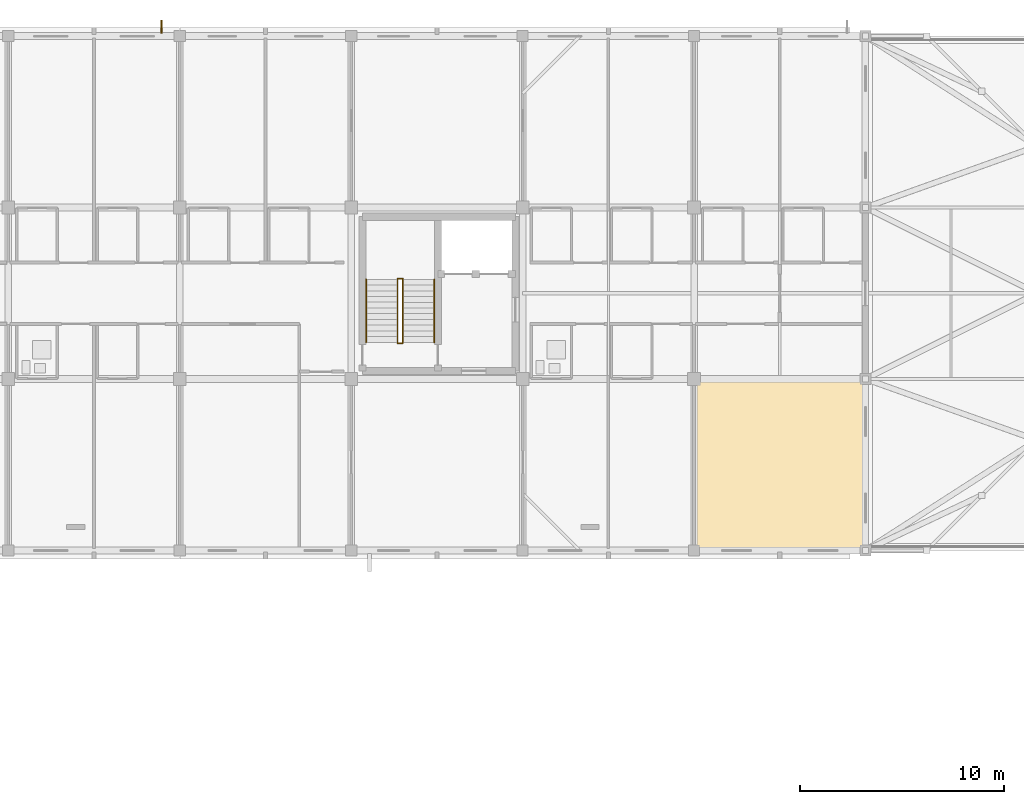
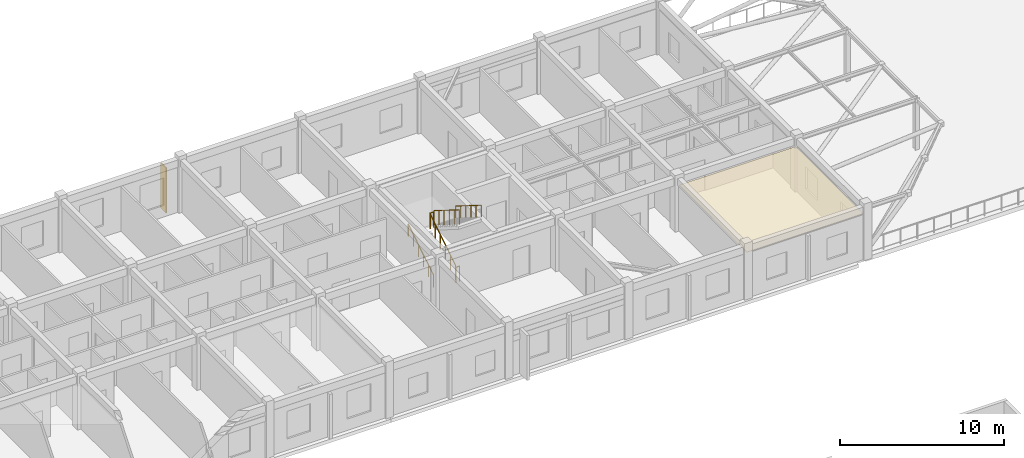
# One storey, part 19 of 21: 6 railings, 1 covering, 1 shading device.
"""IFC4 building model written with IfcOpenShell, lengths in metres."""

from ifc_helpers import new_model, si_unit, direction, frame, origin, origin_2d, place, context, subcontext, project, spatial, polyline, rectangle, circle, outline, extrude, material, layer, layer_set, type_object, element, save


model = new_model("IFC4")

# Units and contexts
model_context = context("Model", 3, precision=1e-05, world=origin(), true_north=direction((0.0, 1.0)))
body_context = subcontext(model_context, "Body", "Model", "MODEL_VIEW")
ifc_project = project(units=[si_unit("LENGTHUNIT", "METRE"), si_unit("AREAUNIT", "SQUARE_METRE"), si_unit("VOLUMEUNIT", "CUBIC_METRE"), si_unit("PLANEANGLEUNIT", "RADIAN"), si_unit("MASSUNIT", "GRAM", prefix="KILO")], contexts=[model_context])

# Site, building, storey
site_placement = place(None, origin())
site = spatial("IfcSite", under=ifc_project, at=site_placement, CompositionType="ELEMENT")
building_placement = place(site_placement, origin())
building = spatial("IfcBuilding", under=site, at=building_placement, Name="Trelvath General Hospital", CompositionType="ELEMENT")
storey_placement = place(building_placement, frame((0.0, 0.0, 28.800048828125)))
storey = spatial("IfcBuildingStorey", under=building, at=storey_placement, Name="L07", CompositionType="ELEMENT", Elevation=28.800048828125)

# Covering
ifc_material_1 = material(Name="Hygienic acoustic ceiling tile")
ifc_layer = layer(ifc_material_1, 0.02490234375)
ifc_layer_set = layer_set([ifc_layer], Name="Hygienic acoustic ceiling tile")
covering_type = type_object("IfcCoveringType", Name="Ceiling ClinicalAcoustic", PredefinedType="CEILING", material=ifc_layer_set)
covering_placement = place(storey_placement, frame((0.0, 0.0, 3.199951171875)))
element("IfcCovering", 1, at=covering_placement, inside=storey, type_object=covering_type, Name="Clinical Acoustic Ceiling L07-84", PredefinedType="CEILING", context=body_context, shape_type="SweptSolid", body=[
    extrude(outline(polyline([(100.89990234375, 92.5), (109.10009765625, 92.5), (109.10009765625, 100.719970703125), (100.89990234375, 100.719970703125), (100.89990234375, 92.5)])), origin(), (0.0, 0.0, 1.0), 0.02490234375),
])

# Railings
ifc_material_2 = material(Name="Architectural painted steel", Category="steel")
railing_type_1 = type_object("IfcRailingType", Name="Guardrail Terrace1150", PredefinedType="GUARDRAIL", material=ifc_material_2)
railing_1_placement = place(storey_placement, frame((86.27001953125, 102.56005859375, 0.0)))
element("IfcRailing", 2, at=railing_1_placement, inside=storey, type_object=railing_type_1, Name="Stair Well Edge Guard C2 L07 90", PredefinedType="GUARDRAIL", context=body_context, shape_type="SweptSolid", body=[
    extrude(circle(Radius=0.02392578125, at=origin_2d()), frame((0.0, 0.0, 1.1259765625), z_axis=(1.0, 0.0, 0.0), x_axis=(0.0, 1.0, 0.0)), (0.0, 0.0, 1.0), 0.260009765625),
    extrude(circle(Radius=0.02099609375, at=origin_2d()), origin(), (0.0, 0.0, 1.0), 1.099853515625),
    extrude(circle(Radius=0.02099609375, at=origin_2d()), frame((0.260009765625, 0.0, 0.0)), (0.0, 0.0, 1.0), 1.099853515625),
])
railing_2_placement = place(storey_placement, frame((86.530029296875, 105.679931640625, 2.27490234375)))
element("IfcRailing", 3, at=railing_2_placement, inside=storey, type_object=railing_type_1, Name="Stair Rail ST2 L07 F2 L 92", PredefinedType="GUARDRAIL", context=body_context, shape_type="SweptSolid", body=[
    extrude(circle(Radius=0.02392578125, at=origin_2d()), frame((0.0, 0.0, 1.076171875), z_axis=(0.0, -0.847979421464, 0.530029150871), x_axis=(1.0, 0.0, 0.0)), (0.0, 0.0, 1.0), 3.632080078125),
    extrude(circle(Radius=0.02099609375, at=origin_2d()), origin(), (0.0, 0.0, 1.0), 1.050048828125),
    extrude(circle(Radius=0.02099609375, at=origin_2d()), frame((0.0, -0.615966796875, 0.385009765625)), (0.0, 0.0, 1.0), 1.050048828125),
    extrude(circle(Radius=0.02099609375, at=origin_2d()), frame((0.0, -1.23193359375, 0.77001953125)), (0.0, 0.0, 1.0), 1.050048828125),
    extrude(circle(Radius=0.02099609375, at=origin_2d()), frame((0.0, -1.847900390625, 1.155029296875)), (0.0, 0.0, 1.0), 1.050048828125),
    extrude(circle(Radius=0.02099609375, at=origin_2d()), frame((0.0, -2.4638671875, 1.5400390625)), (0.0, 0.0, 1.0), 1.050048828125),
    extrude(circle(Radius=0.02099609375, at=origin_2d()), frame((0.0, -3.079833984375, 1.925048828125)), (0.0, 0.0, 1.0), 1.050048828125),
])
railing_3_placement = place(storey_placement, frame((86.27001953125, 102.60009765625, 0.175048828125)))
element("IfcRailing", 4, at=railing_3_placement, inside=storey, type_object=railing_type_1, Name="Stair Rail ST2 L07 F1 R 93", PredefinedType="GUARDRAIL", context=body_context, shape_type="SweptSolid", body=[
    extrude(circle(Radius=0.02392578125, at=origin_2d()), frame((0.0, 0.0, 1.076171875), z_axis=(0.0, 0.848009633417, 0.529980812513), x_axis=(-1.0, 0.0, 0.0)), (0.0, 0.0, 1.0), 3.6318359375),
    extrude(circle(Radius=0.02099609375, at=origin_2d()), origin(), (0.0, 0.0, 1.0), 1.050048828125),
    extrude(circle(Radius=0.02099609375, at=origin_2d()), frame((0.0, 0.615966796875, 0.385009765625)), (0.0, 0.0, 1.0), 1.050048828125),
    extrude(circle(Radius=0.02099609375, at=origin_2d()), frame((0.0, 1.23193359375, 0.77001953125)), (0.0, 0.0, 1.0), 1.050048828125),
    extrude(circle(Radius=0.02099609375, at=origin_2d()), frame((0.0, 1.847900390625, 1.15478515625)), (0.0, 0.0, 1.0), 1.050048828125),
    extrude(circle(Radius=0.02099609375, at=origin_2d()), frame((0.0, 2.4638671875, 1.539794921875)), (0.0, 0.0, 1.0), 1.050048828125),
    extrude(circle(Radius=0.02099609375, at=origin_2d()), frame((0.0, 3.079833984375, 1.9248046875)), (0.0, 0.0, 1.0), 1.050048828125),
])
railing_4_placement = place(storey_placement, frame((86.27001953125, 105.719970703125, 2.099853515625)))
element("IfcRailing", 5, at=railing_4_placement, inside=storey, type_object=railing_type_1, Name="Half-Landing Well Guard ST2 L07 95", PredefinedType="GUARDRAIL", context=body_context, shape_type="SweptSolid", body=[
    extrude(circle(Radius=0.02392578125, at=origin_2d()), frame((0.0, 0.0, 1.1259765625), z_axis=(1.0, 0.0, 0.0), x_axis=(0.0, 1.0, 0.0)), (0.0, 0.0, 1.0), 0.260009765625),
    extrude(circle(Radius=0.02099609375, at=origin_2d()), origin(), (0.0, 0.0, 1.0), 1.099853515625),
    extrude(circle(Radius=0.02099609375, at=origin_2d()), frame((0.260009765625, 0.0, 0.0)), (0.0, 0.0, 1.0), 1.099853515625),
])
ifc_material_3 = material(Name="Brushed stainless steel", Category="steel")
railing_type_2 = type_object("IfcRailingType", Name="Handrail Stair900", PredefinedType="HANDRAIL", material=ifc_material_3)
railing_5_placement = place(storey_placement, frame((84.72998046875, 102.60009765625, 0.175048828125)))
element("IfcRailing", 6, at=railing_5_placement, inside=storey, type_object=railing_type_2, Name="Stair Rail ST2 L07 F1 L 91", PredefinedType="HANDRAIL", context=body_context, shape_type="SweptSolid", body=[
    extrude(circle(Radius=0.02392578125, at=origin_2d()), frame((0.0, 0.0, 0.8759765625), z_axis=(0.0, 0.848009633417, 0.529980812513), x_axis=(-1.0, 0.0, 0.0)), (0.0, 0.0, 1.0), 3.6318359375),
    extrude(circle(Radius=0.02099609375, at=origin_2d()), origin(), (0.0, 0.0, 1.0), 0.849853515625),
    extrude(circle(Radius=0.02099609375, at=origin_2d()), frame((0.0, 0.615966796875, 0.385009765625)), (0.0, 0.0, 1.0), 0.849853515625),
    extrude(circle(Radius=0.02099609375, at=origin_2d()), frame((0.0, 1.23193359375, 0.77001953125)), (0.0, 0.0, 1.0), 0.849853515625),
    extrude(circle(Radius=0.02099609375, at=origin_2d()), frame((0.0, 1.847900390625, 1.15478515625)), (0.0, 0.0, 1.0), 0.849853515625),
    extrude(circle(Radius=0.02099609375, at=origin_2d()), frame((0.0, 2.4638671875, 1.539794921875)), (0.0, 0.0, 1.0), 0.849853515625),
    extrude(circle(Radius=0.02099609375, at=origin_2d()), frame((0.0, 3.079833984375, 1.9248046875)), (0.0, 0.0, 1.0), 0.849853515625),
])
railing_6_placement = place(storey_placement, frame((88.070068359375, 105.679931640625, 2.27490234375)))
element("IfcRailing", 7, at=railing_6_placement, inside=storey, type_object=railing_type_2, Name="Stair Rail ST2 L07 F2 R 94", PredefinedType="HANDRAIL", context=body_context, shape_type="SweptSolid", body=[
    extrude(circle(Radius=0.02392578125, at=origin_2d()), frame((0.0, 0.0, 0.8759765625), z_axis=(0.0, -0.847979421464, 0.530029150871), x_axis=(1.0, 0.0, 0.0)), (0.0, 0.0, 1.0), 3.632080078125),
    extrude(circle(Radius=0.02099609375, at=origin_2d()), origin(), (0.0, 0.0, 1.0), 0.849853515625),
    extrude(circle(Radius=0.02099609375, at=origin_2d()), frame((0.0, -0.615966796875, 0.385009765625)), (0.0, 0.0, 1.0), 0.849853515625),
    extrude(circle(Radius=0.02099609375, at=origin_2d()), frame((0.0, -1.23193359375, 0.77001953125)), (0.0, 0.0, 1.0), 0.849853515625),
    extrude(circle(Radius=0.02099609375, at=origin_2d()), frame((0.0, -1.847900390625, 1.155029296875)), (0.0, 0.0, 1.0), 0.849853515625),
    extrude(circle(Radius=0.02099609375, at=origin_2d()), frame((0.0, -2.4638671875, 1.5400390625)), (0.0, 0.0, 1.0), 0.849853515625),
    extrude(circle(Radius=0.02099609375, at=origin_2d()), frame((0.0, -3.079833984375, 1.925048828125)), (0.0, 0.0, 1.0), 0.849853515625),
])

# Shading device
ifc_material_4 = material(Name="Anodised aluminium", Category="aluminium")
shading_device_type = type_object("IfcShadingDeviceType", Name="SolarScreen PerforatedAlu", PredefinedType="JALOUSIE", material=ifc_material_4)
shading_device_placement = place(storey_placement, frame((74.701171875, 118.06494140625, 0.0), z_axis=(0.0, 0.0, 1.0), x_axis=(0.0, 1.0, 0.0)))
element("IfcShadingDevice", 8, at=shading_device_placement, inside=storey, type_object=shading_device_type, Name="Solar Brise-Soleil Screen L07-106", PredefinedType="JALOUSIE", context=body_context, shape_type="SweptSolid", body=[
    extrude(rectangle(XDim=0.64990234375, YDim=0.080078125, at=origin_2d()), origin(), (0.0, 0.0, 1.0), 3.340087890625),
])

save(model, "model.ifc")
